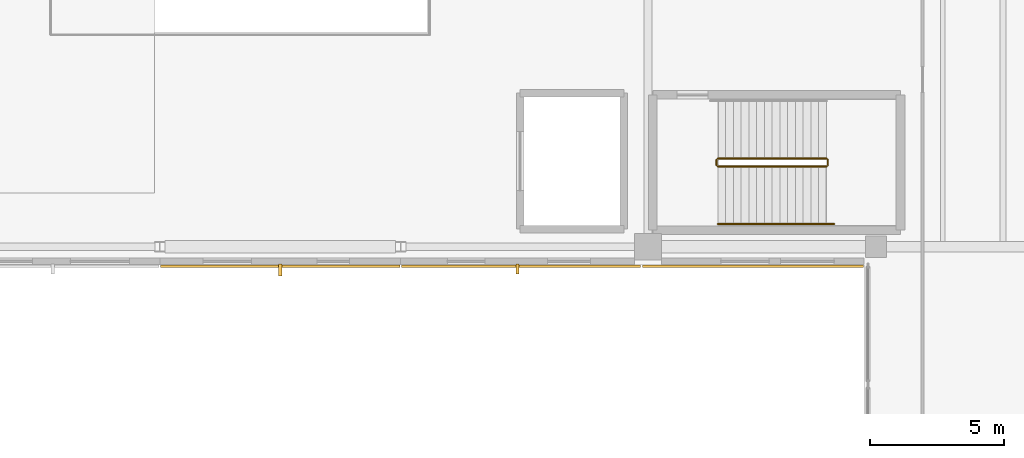
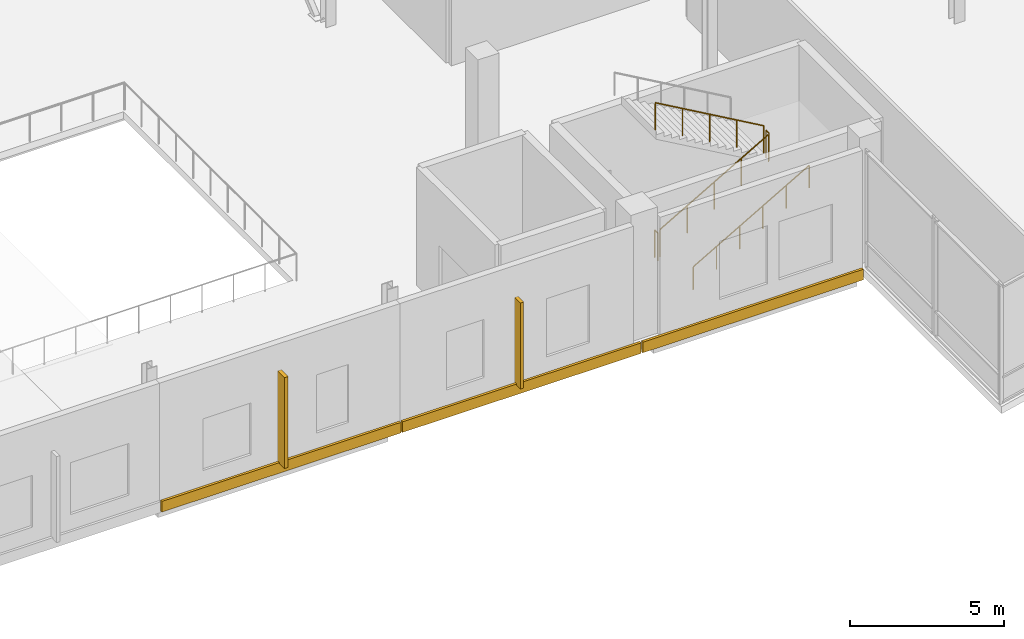
# One storey, part 79 of 81: 5 railings, 3 coverings, 2 shading devices.
"""IFC4 building model written with IfcOpenShell, lengths in metres."""

from ifc_helpers import new_model, si_unit, direction, frame, origin, origin_2d, place, context, subcontext, project, spatial, rectangle, circle, extrude, material, layer, layer_set, type_object, element, save


model = new_model("IFC4")

# Units and contexts
model_context = context("Model", 3, precision=1e-05, world=origin(), true_north=direction((0.0, 1.0)))
body_context = subcontext(model_context, "Body", "Model", "MODEL_VIEW")
ifc_project = project(units=[si_unit("LENGTHUNIT", "METRE"), si_unit("AREAUNIT", "SQUARE_METRE"), si_unit("VOLUMEUNIT", "CUBIC_METRE"), si_unit("PLANEANGLEUNIT", "RADIAN"), si_unit("MASSUNIT", "GRAM", prefix="KILO")], contexts=[model_context])

# Site, building, storey
site_placement = place(None, origin())
site = spatial("IfcSite", under=ifc_project, at=site_placement, CompositionType="ELEMENT")
building_placement = place(site_placement, origin())
building = spatial("IfcBuilding", under=site, at=building_placement, Name="Trimount Lyric Opera House", CompositionType="ELEMENT")
storey_placement = place(building_placement, frame((0.0, 0.0, 5.0)))
storey = spatial("IfcBuildingStorey", under=building, at=storey_placement, Name="L01", CompositionType="ELEMENT", Elevation=5.0)

# Coverings
ifc_material_1 = material(Name="Architectural Precast Concrete Spandrel Band", Category="concrete")
ifc_layer = layer(ifc_material_1, 0.094970703125)
ifc_layer_set = layer_set([ifc_layer], Name="CLD-WING1")
covering_type = type_object("IfcCoveringType", Name="CLD-WING1", PredefinedType="CLADDING", material=ifc_layer_set)
covering_placement = place(storey_placement, frame((152.159912109375, 43.278564453125, -0.369873046875), z_axis=(0.0, 0.0, 1.0), x_axis=(-1.0, 0.0, 0.0)))
element("IfcCovering", 1, at=covering_placement, inside=storey, type_object=covering_type, Name="L01 precast slab-edge spandrel 149", PredefinedType="CLADDING", context=body_context, shape_type="SweptSolid", body=[
    extrude(rectangle(XDim=8.260009765625, YDim=0.094970703125, at=origin_2d()), origin(), (0.0, 0.0, 1.0), 0.419921875),
])
for number, where, z_axis, x_axis, name in (
    (2, (143.5, 43.278564453125, -0.369873046875), (0.0, 0.0, 1.0), (-1.0, 0.0, 0.0), "L01 precast slab-edge spandrel 150"),
    (3, (134.5, 43.278564453125, -0.369873046875), (0.0, 0.0, 1.0), (-1.0, 0.0, 0.0), "L01 precast slab-edge spandrel 151"),
):
    element("IfcCovering", number, at=place(storey_placement, frame(where, z_axis=z_axis, x_axis=x_axis)), inside=storey, type_object=covering_type, Name=name, PredefinedType="CLADDING", context=body_context, shape_type="SweptSolid", body=[
        extrude(rectangle(XDim=8.93994140625, YDim=0.094970703125, at=origin_2d()), origin(), (0.0, 0.0, 1.0), 0.419921875),
    ])

# Railings
ifc_material_2 = material(Name="Brushed Stainless Steel 316", Category="steel")
railing_type_1 = type_object("IfcRailingType", Name="RL-GRD110", PredefinedType="GUARDRAIL", material=ifc_material_2)
railing_1_placement = place(storey_placement, frame((150.85009765625, 47.0, 0.166748046875)))
element("IfcRailing", 4, at=railing_1_placement, inside=storey, type_object=railing_type_1, Name="L01 ST-05 stair guard 1", PredefinedType="GUARDRAIL", context=body_context, shape_type="SweptSolid", body=[
    extrude(circle(Radius=0.02392578125, at=origin_2d()), frame((0.0, 0.0, 1.076171875), z_axis=(0.86701161382, 0.0, 0.498287930319), x_axis=(0.0, 1.0, 0.0)), (0.0, 0.0, 1.0), 4.6826171875),
    extrude(circle(Radius=0.02099609375, at=origin_2d()), origin(), (0.0, 0.0, 1.0), 1.052001953125),
    extrude(circle(Radius=0.02099609375, at=origin_2d()), frame((1.014892578125, 0.0, 0.583251953125)), (0.0, 0.0, 1.0), 1.052001953125),
    extrude(circle(Radius=0.02099609375, at=origin_2d()), frame((2.02978515625, 0.0, 1.16650390625)), (0.0, 0.0, 1.0), 1.052001953125),
    extrude(circle(Radius=0.02099609375, at=origin_2d()), frame((3.044921875, 0.0, 1.75)), (0.0, 0.0, 1.0), 1.052001953125),
    extrude(circle(Radius=0.02099609375, at=origin_2d()), frame((4.059814453125, 0.0, 2.333251953125)), (0.0, 0.0, 1.0), 1.052001953125),
])
railing_2_placement = place(storey_placement, frame((154.9599609375, 47.050048828125, 2.5)))
element("IfcRailing", 5, at=railing_2_placement, inside=storey, type_object=railing_type_1, Name="L01 ST-05 stair guard 2", PredefinedType="GUARDRAIL", context=body_context, shape_type="SweptSolid", body=[
    extrude(circle(Radius=0.02392578125, at=origin_2d()), frame((0.0, 0.0, 1.076171875), z_axis=(0.0, 1.0, 0.0), x_axis=(-1.0, 0.0, 0.0)), (0.0, 0.0, 1.0), 0.199951171875),
    extrude(circle(Radius=0.02099609375, at=origin_2d()), origin(), (0.0, 0.0, 1.0), 1.052001953125),
    extrude(circle(Radius=0.02099609375, at=origin_2d()), frame((0.0, 0.199951171875, 0.0)), (0.0, 0.0, 1.0), 1.052001953125),
])
railing_3_placement = place(storey_placement, frame((154.909912109375, 47.300048828125, 2.666748046875)))
element("IfcRailing", 6, at=railing_3_placement, inside=storey, type_object=railing_type_1, Name="L01 ST-05 stair guard 3", PredefinedType="GUARDRAIL", context=body_context, shape_type="SweptSolid", body=[
    extrude(circle(Radius=0.02392578125, at=origin_2d()), frame((0.0, 0.0, 1.076171875), z_axis=(-0.86701161382, 0.0, 0.498287930319), x_axis=(0.0, -1.0, 0.0)), (0.0, 0.0, 1.0), 4.6826171875),
    extrude(circle(Radius=0.02099609375, at=origin_2d()), origin(), (0.0, 0.0, 1.0), 1.052001953125),
    extrude(circle(Radius=0.02099609375, at=origin_2d()), frame((-1.014892578125, 0.0, 0.583251953125)), (0.0, 0.0, 1.0), 1.052001953125),
    extrude(circle(Radius=0.02099609375, at=origin_2d()), frame((-2.02978515625, 0.0, 1.16650390625)), (0.0, 0.0, 1.0), 1.052001953125),
    extrude(circle(Radius=0.02099609375, at=origin_2d()), frame((-3.044921875, 0.0, 1.75)), (0.0, 0.0, 1.0), 1.052001953125),
    extrude(circle(Radius=0.02099609375, at=origin_2d()), frame((-4.059814453125, 0.0, 2.333251953125)), (0.0, 0.0, 1.0), 1.052001953125),
])
railing_4_placement = place(storey_placement, frame((150.800048828125, 47.050048828125, 0.0)))
element("IfcRailing", 7, at=railing_4_placement, inside=storey, type_object=railing_type_1, Name="L01 ST-05 stair guard 4", PredefinedType="GUARDRAIL", context=body_context, shape_type="SweptSolid", body=[
    extrude(circle(Radius=0.02392578125, at=origin_2d()), frame((0.0, 0.0, 1.076171875), z_axis=(0.0, 1.0, 0.0), x_axis=(-1.0, 0.0, 0.0)), (0.0, 0.0, 1.0), 0.199951171875),
    extrude(circle(Radius=0.02099609375, at=origin_2d()), origin(), (0.0, 0.0, 1.0), 1.052001953125),
    extrude(circle(Radius=0.02099609375, at=origin_2d()), frame((0.0, 0.199951171875, 0.0)), (0.0, 0.0, 1.0), 1.052001953125),
])
ifc_material_3 = material(Name="Brushed Stainless Steel 316", Category="steel")
railing_type_2 = type_object("IfcRailingType", Name="RL-HND092", PredefinedType="HANDRAIL", material=ifc_material_3)
railing_5_placement = place(storey_placement, frame((150.85009765625, 44.85009765625, 0.166748046875)))
element("IfcRailing", 8, at=railing_5_placement, inside=storey, type_object=railing_type_2, Name="L01 ST-05 stair handrail 1", PredefinedType="HANDRAIL", context=body_context, shape_type="SweptSolid", body=[
    extrude(circle(Radius=0.0224609375, at=origin_2d()), frame((0.0, 0.0, 0.8974609375), z_axis=(0.866754379005, 0.0, 0.498735246875), x_axis=(0.0, 1.0, 0.0)), (0.0, 0.0, 1.0), 5.0185546875),
    extrude(circle(Radius=0.02099609375, at=origin_2d()), origin(), (0.0, 0.0, 1.0), 0.875),
    extrude(circle(Radius=0.02099609375, at=origin_2d()), frame((0.869873046875, 0.0, 0.50048828125)), (0.0, 0.0, 1.0), 0.875),
    extrude(circle(Radius=0.02099609375, at=origin_2d()), frame((1.739990234375, 0.0, 1.001220703125)), (0.0, 0.0, 1.0), 0.875),
    extrude(circle(Radius=0.02099609375, at=origin_2d()), frame((2.60986328125, 0.0, 1.501708984375)), (0.0, 0.0, 1.0), 0.875),
    extrude(circle(Radius=0.02099609375, at=origin_2d()), frame((3.47998046875, 0.0, 2.00244140625)), (0.0, 0.0, 1.0), 0.875),
    extrude(circle(Radius=0.02099609375, at=origin_2d()), frame((4.349853515625, 0.0, 2.5029296875)), (0.0, 0.0, 1.0), 0.875),
])

# Shading devices
ifc_material_4 = material(Name="Extruded Bronze Vertical Acoustic Fin")
shading_device_type_1 = type_object("IfcShadingDeviceType", Name="SHD-FIN1", PredefinedType="USERDEFINED", material=ifc_material_4)
shading_device_1_placement = place(storey_placement, frame((134.5, 43.139892578125, 0.0), z_axis=(0.0, 0.0, 1.0), x_axis=(1.0, 0.0, 0.0)))
element("IfcShadingDevice", 9, at=shading_device_1_placement, inside=storey, type_object=shading_device_type_1, Name="Vertical architectural facade fin 045", ObjectType="FIN", PredefinedType="USERDEFINED", context=body_context, shape_type="SweptSolid", body=[
    extrude(rectangle(XDim=0.139892578125, YDim=0.449951171875, at=origin_2d()), origin(), (0.0, 0.0, 1.0), 3.60009765625),
])
ifc_material_5 = material(Name="Extruded White Aluminium Sun Fin", Category="aluminium")
shading_device_type_2 = type_object("IfcShadingDeviceType", Name="SHD-FIN2", PredefinedType="USERDEFINED", material=ifc_material_5)
shading_device_2_placement = place(storey_placement, frame((143.3701171875, 43.175048828125, 0.0), z_axis=(0.0, 0.0, 1.0), x_axis=(1.0, 0.0, 0.0)))
element("IfcShadingDevice", 10, at=shading_device_2_placement, inside=storey, type_object=shading_device_type_2, Name="Vertical architectural facade fin 044", ObjectType="FIN", PredefinedType="USERDEFINED", context=body_context, shape_type="SweptSolid", body=[
    extrude(rectangle(XDim=0.1201171875, YDim=0.3798828125, at=origin_2d()), origin(), (0.0, 0.0, 1.0), 3.39990234375),
])

save(model, "model.ifc")
